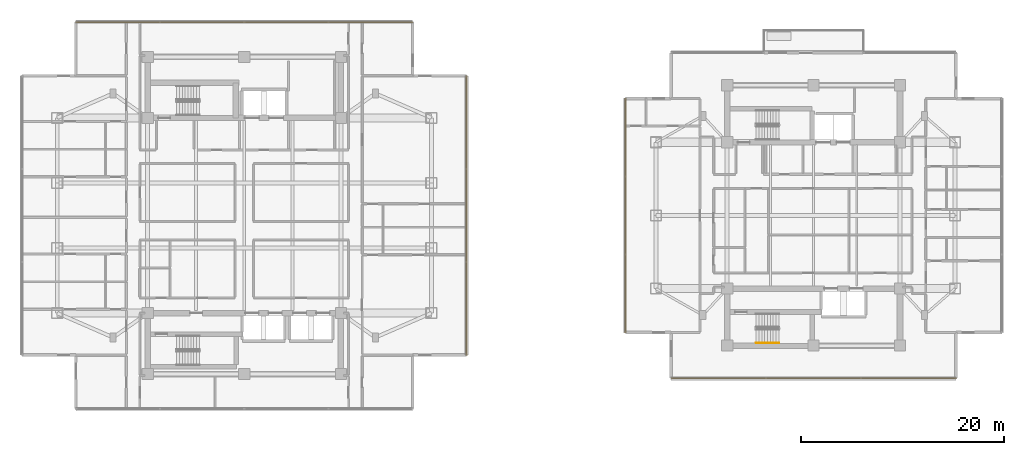
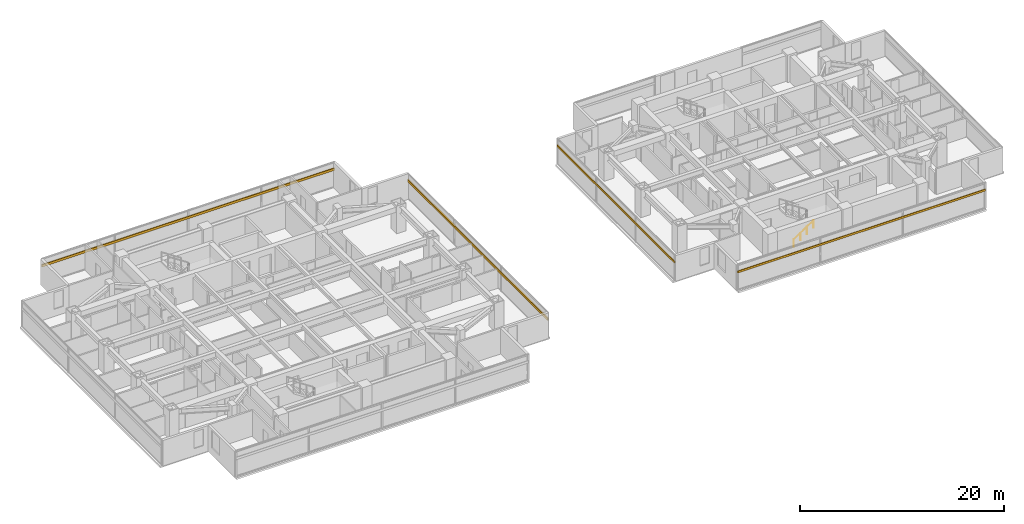
# One storey, part 22 of 24: 4 shading devices, 1 railing.
"""IFC4 building model written with IfcOpenShell, lengths in metres."""

import ifcopenshell
import ifcopenshell.guid

model = None  # the IFC model being written
_history = None  # IfcOwnerHistory: only IFC2X3 demands one
_inside = {}  # id of a spatial element -> (the spatial element, [elements in it])
_under = {}  # id of a project, library or spatial element -> (it, [spatial elements below it])
_declared = {}  # id of a project -> (the project, [libraries it declares])
_typed = {}  # id of a type object -> (the type object, [elements of that type])
_made_of = {}  # id of a material, layer set ... -> (it, [elements and type objects made of it])


def new_model(schema):
    """Start an empty IFC model of exactly this schema.

    Asked for "IFC4X3", IfcOpenShell would pick the latest addendum, in which some entities
    have other attributes; the version numbers below select the first issue.
    IFC2X3 requires an IfcOwnerHistory on every rooted entity: one is made here for all.
    """
    global model, _history
    if schema == "IFC4X3":
        model = ifcopenshell.file(schema_version=(4, 3, 0, 0))
    else:
        model = ifcopenshell.file(schema=schema)
    _inside.clear()
    _under.clear()
    _declared.clear()
    _typed.clear()
    _made_of.clear()
    _history = None
    if model.schema == "IFC2X3":
        org = make("IfcOrganization", Name="unknown")
        user = make(
            "IfcPersonAndOrganization",
            ThePerson=make("IfcPerson", FamilyName="unknown"),
            TheOrganization=org,
        )
        app = make(
            "IfcApplication",
            ApplicationDeveloper=org,
            Version="unknown",
            ApplicationFullName="unknown",
            ApplicationIdentifier="unknown",
        )
        _history = make(
            "IfcOwnerHistory",
            OwningUser=user,
            OwningApplication=app,
            ChangeAction="ADDED",
            CreationDate=0,
        )
    return model


def make(cls, **values):
    """One entity of the class cls with the attributes given. An attribute that is None is left unset."""
    return model.create_entity(
        cls, **{name: value for name, value in values.items() if value is not None}
    )


def rooted(cls, **values):
    """An entity with a GlobalId (a new one), such as an element, a storey or a relation."""
    return make(cls, GlobalId=ifcopenshell.guid.new(), OwnerHistory=_history, **values)


def si_unit(unit_type, name, prefix=None):
    """IfcSIUnit, for example si_unit("LENGTHUNIT", "METRE", prefix="MILLI")."""
    return make("IfcSIUnit", UnitType=unit_type, Prefix=prefix, Name=name)


def assignment(units):
    """IfcUnitAssignment: the units of a project."""
    return None if units is None else make("IfcUnitAssignment", Units=units)


def point(xyz):
    """IfcCartesianPoint."""
    return None if xyz is None else make("IfcCartesianPoint", Coordinates=xyz)


def direction(xyz):
    """IfcDirection."""
    return None if xyz is None else make("IfcDirection", DirectionRatios=xyz)


def frame(location, z_axis=None, x_axis=None):
    """IfcAxis2Placement3D, a coordinate frame: its origin and axes. An axis left out is left unset."""
    return make(
        "IfcAxis2Placement3D",
        Location=point(location),
        Axis=direction(z_axis),
        RefDirection=direction(x_axis),
    )


def frame_2d(location, x_axis=None):
    """IfcAxis2Placement2D, a coordinate frame in the plane: its origin and x axis."""
    return make(
        "IfcAxis2Placement2D", Location=point(location), RefDirection=direction(x_axis)
    )


def origin():
    """The frame at (0, 0, 0) with its axes left unset."""
    return frame((0.0, 0.0, 0.0))


def origin_2d():
    """The frame at (0, 0) in the plane with its x axis left unset."""
    return frame_2d((0.0, 0.0))


def place(relative_to, where):
    """IfcLocalPlacement: puts the frame where relative to a parent placement (None: the world)."""
    return make(
        "IfcLocalPlacement", PlacementRelTo=relative_to, RelativePlacement=where
    )


def context(
    kind, dimensions, precision=None, world=None, true_north=None, identifier=None
):
    """IfcGeometricRepresentationContext, for example the 3D "Model" context."""
    return make(
        "IfcGeometricRepresentationContext",
        ContextIdentifier=identifier,
        ContextType=kind,
        CoordinateSpaceDimension=dimensions,
        Precision=precision,
        WorldCoordinateSystem=world,
        TrueNorth=true_north,
    )


def subcontext(parent, identifier, kind, view, scale=None):
    """IfcGeometricRepresentationSubContext, for example "Body" below "Model"."""
    return make(
        "IfcGeometricRepresentationSubContext",
        ContextIdentifier=identifier,
        ContextType=kind,
        ParentContext=parent,
        TargetScale=scale,
        TargetView=view,
    )


def project(units=None, contexts=None):
    """IfcProject with its units and contexts."""
    return rooted(
        "IfcProject",
        Name="project",
        RepresentationContexts=contexts,
        UnitsInContext=assignment(units),
    )


def spatial(cls, under=None, at=None, **own):
    """A site, building, storey or space (cls), placed at a placement, below another one or the project."""
    s = rooted(cls, ObjectPlacement=at, **own)
    if under is not None:
        _under.setdefault(under.id(), (under, []))[1].append(s)
    return s


def profile(cls, at=None, kind="AREA", **sizes):
    """A parametric profile (cls). Its sizes go by their IFC names, for example OverallWidth=200.0."""
    return make(cls, ProfileType=kind, Position=at, **sizes)


def rectangle(**sizes):
    """IfcRectangleProfileDef."""
    return profile("IfcRectangleProfileDef", **sizes)


def circle(**sizes):
    """IfcCircleProfileDef."""
    return profile("IfcCircleProfileDef", **sizes)


def extrude(swept, where, along, depth):
    """IfcExtrudedAreaSolid: the profile swept, set in the frame where, extruded along a direction by depth."""
    return make(
        "IfcExtrudedAreaSolid",
        SweptArea=swept,
        Position=where,
        ExtrudedDirection=direction(along),
        Depth=depth,
    )


def shape(context_of_items, identifier, shape_type, items):
    """IfcShapeRepresentation: the items that make up one representation, for example the "Body"."""
    return make(
        "IfcShapeRepresentation",
        ContextOfItems=context_of_items,
        RepresentationIdentifier=identifier,
        RepresentationType=shape_type,
        Items=items,
    )


def material(Name=None, Category=None):
    """IfcMaterial."""
    return make("IfcMaterial", Name=Name, Category=Category)


def material_profile(
    of_material, cross_section, Name=None, Category=None, Priority=None
):
    """IfcMaterialProfile: a cross section and its material."""
    return make(
        "IfcMaterialProfile",
        Name=Name,
        Material=of_material,
        Profile=cross_section,
        Priority=Priority,
        Category=Category,
    )


def profile_set(profiles, Name=None, composite=None):
    """IfcMaterialProfileSet."""
    return make(
        "IfcMaterialProfileSet",
        Name=Name,
        MaterialProfiles=profiles,
        CompositeProfile=composite,
    )


def made_of(thing, what):
    """Note that an element or type object is made of a material, layer set ...; save() writes the relation."""
    if what is not None:
        _made_of.setdefault(what.id(), (what, []))[1].append(thing)
    return thing


def type_object(cls, material=None, **own):
    """A type object (cls), such as IfcWallType, which elements share."""
    return made_of(rooted(cls, **own), material)


def element(
    cls,
    number,
    at=None,
    inside=None,
    cuts=None,
    type_object=None,
    material=None,
    context=None,
    identifier="Body",
    shape_type=None,
    held_by="IfcProductDefinitionShape",
    body=None,
    shapes=None,
    **own,
):
    """One element of the class cls, such as IfcWall. Its Tag is "e" and its number.

    at: its placement. inside: the storey or other place that contains it. cuts: it is an
    opening in that element (IfcRelVoidsElement). A single representation is given by context,
    identifier, shape_type and body (its items); several are given by shapes. held_by: the class
    of the entity that holds the representations. save() writes the other relations.
    """
    e = rooted(cls, Tag="e%d" % number, ObjectPlacement=at, **own)
    if body is not None:
        shapes = [shape(context, identifier, shape_type, body)]
    if shapes is not None:
        e.Representation = make(held_by, Representations=shapes)
    if inside is not None:
        _inside.setdefault(inside.id(), (inside, []))[1].append(e)
    if cuts is not None:
        rooted(
            "IfcRelVoidsElement", RelatingBuildingElement=cuts, RelatedOpeningElement=e
        )
    if type_object is not None:
        _typed.setdefault(type_object.id(), (type_object, []))[1].append(e)
    return made_of(e, material)


def aggregate(whole, parts):
    """IfcRelAggregates: a whole, such as a stair, and the parts it consists of."""
    return rooted("IfcRelAggregates", RelatingObject=whole, RelatedObjects=parts)


def save(model, path):
    """Write the relations noted so far, then the file.

    IfcRelAggregates (storeys below a building ...), IfcRelContainedInSpatialStructure (elements
    in a storey), IfcRelDefinesByType, IfcRelAssociatesMaterial and IfcRelDeclares: one each for
    every whole, place, type object, material and project.
    """
    for whole, parts in _under.values():
        aggregate(whole, parts)
    for where, things in _inside.values():
        rooted(
            "IfcRelContainedInSpatialStructure",
            RelatedElements=things,
            RelatingStructure=where,
        )
    for kind, things in _typed.values():
        rooted("IfcRelDefinesByType", RelatedObjects=things, RelatingType=kind)
    for what, things in _made_of.values():
        rooted("IfcRelAssociatesMaterial", RelatedObjects=things, RelatingMaterial=what)
    for by, libraries in _declared.values():
        rooted("IfcRelDeclares", RelatingContext=by, RelatedDefinitions=libraries)
    model.write(path)


model = new_model("IFC4")

# Units and contexts
model_context = context("Model", 3, precision=1e-05, world=origin(), true_north=direction((0.0, 1.0)))
body_context = subcontext(model_context, "Body", "Model", "MODEL_VIEW")
ifc_project = project(units=[si_unit("LENGTHUNIT", "METRE"), si_unit("AREAUNIT", "SQUARE_METRE"), si_unit("VOLUMEUNIT", "CUBIC_METRE"), si_unit("PLANEANGLEUNIT", "RADIAN"), si_unit("MASSUNIT", "GRAM", prefix="KILO")], contexts=[model_context])

# Site, building, storey
site_placement = place(None, origin())
site = spatial("IfcSite", under=ifc_project, at=site_placement, CompositionType="ELEMENT")
building_placement = place(site_placement, origin())
building = spatial("IfcBuilding", under=site, at=building_placement, Name="Mirazonda Arch Towers", CompositionType="ELEMENT")
storey_placement = place(building_placement, frame((0.0, 0.0, 141.199951171875)))
storey = spatial("IfcBuildingStorey", under=building, at=storey_placement, Name="L40", CompositionType="ELEMENT", Elevation=141.199951171875)

# Shading devices
ifc_material_1 = material(Name="Kiln-Fired Architectural Terracotta", Category="masonry")
ifc_material_profile_1 = material_profile(ifc_material_1, rectangle(XDim=0.1201171875, YDim=0.239990234375, at=origin_2d()), Name="TERRA-BAG-120x240")
ifc_profile_set_1 = profile_set([ifc_material_profile_1], Name="Kiln-Fired Architectural Terracotta")
shading_device_type_1 = type_object("IfcShadingDeviceType", Name="BAGUETTE-1", PredefinedType="USERDEFINED", material=ifc_profile_set_1)
shading_device_1_placement = place(storey_placement, frame((90.5244140625, 11.997802734375, 2.203369140625), z_axis=(-1.0, 0.0, 0.0), x_axis=(0.0, -1.0, 0.0)))
element("IfcShadingDevice", 1, at=shading_device_1_placement, inside=storey, type_object=shading_device_type_1, Name="L40 Glazed Terracotta Sun-Screen Baguette CW-L40-T2-S", ObjectType="BAGUETTE", PredefinedType="USERDEFINED", context=body_context, shape_type="SweptSolid", body=[
    extrude(rectangle(XDim=0.1201171875, YDim=0.239990234375, at=origin_2d()), origin(), (0.0, 0.0, 1.0), 28.048828125),
])
shading_device_2_placement = place(storey_placement, frame((57.989013671875, 39.515625, 2.203369140625), z_axis=(0.0, -1.0, 0.0), x_axis=(1.0, 0.0, 0.0)))
element("IfcShadingDevice", 2, at=shading_device_2_placement, inside=storey, type_object=shading_device_type_1, Name="L40 Glazed Terracotta Sun-Screen Baguette CW-L40-T2-W", ObjectType="BAGUETTE", PredefinedType="USERDEFINED", context=body_context, shape_type="SweptSolid", body=[
    extrude(rectangle(XDim=0.1201171875, YDim=0.239990234375, at=origin_2d()), origin(), (0.0, 0.0, 1.0), 23.03125),
])
ifc_material_profile_2 = material_profile(ifc_material_1, rectangle(XDim=0.139892578125, YDim=0.280029296875, at=origin_2d()), Name="TERRA-BAG-140x280")
ifc_profile_set_2 = profile_set([ifc_material_profile_2], Name="Kiln-Fired Architectural Terracotta")
shading_device_type_2 = type_object("IfcShadingDeviceType", Name="BAGUETTE-3", PredefinedType="USERDEFINED", material=ifc_profile_set_2)
shading_device_3_placement = place(storey_placement, frame((42.340087890625, 14.263916015625, 2.203369140625), z_axis=(0.0, 1.0, 0.0), x_axis=(-1.0, 0.0, 0.0)))
element("IfcShadingDevice", 3, at=shading_device_3_placement, inside=storey, type_object=shading_device_type_2, Name="L40 Glazed Terracotta Sun-Screen Baguette CW-L40-T1-E", ObjectType="BAGUETTE", PredefinedType="USERDEFINED", context=body_context, shape_type="SweptSolid", body=[
    extrude(rectangle(XDim=0.139892578125, YDim=0.280029296875, at=origin_2d()), origin(), (0.0, 0.0, 1.0), 27.47216796875),
])
shading_device_4_placement = place(storey_placement, frame((3.929931640625, 47.006103515625, 2.203369140625), z_axis=(1.0, 0.0, 0.0), x_axis=(0.0, 1.0, 0.0)))
element("IfcShadingDevice", 4, at=shading_device_4_placement, inside=storey, type_object=shading_device_type_2, Name="L40 Glazed Terracotta Sun-Screen Baguette CW-L40-T1-N", ObjectType="BAGUETTE", PredefinedType="USERDEFINED", context=body_context, shape_type="SweptSolid", body=[
    extrude(rectangle(XDim=0.139892578125, YDim=0.280029296875, at=origin_2d()), origin(), (0.0, 0.0, 1.0), 33.14013671875),
])

# Railing
ifc_material_2 = material(Name="Architectural Brushed Steel S355", Category="steel")
railing_type = type_object("IfcRailingType", Name="HANDRAIL-915", PredefinedType="HANDRAIL", material=ifc_material_2)
railing_placement = place(storey_placement, frame((70.85009765625, 15.469970703125, 0.183349609375)))
element("IfcRailing", 5, at=railing_placement, inside=storey, type_object=railing_type, Name="L40 ST-T2S stair handrail 1", PredefinedType="HANDRAIL", context=body_context, shape_type="SweptSolid", body=[
    extrude(circle(Radius=0.02392578125, at=origin_2d()), frame((0.0, 0.0, 0.8759765625), z_axis=(0.836595146698, 0.0, 0.547821650285), x_axis=(0.0, 1.0, 0.0)), (0.0, 0.0, 1.0), 2.677490234375),
    extrude(circle(Radius=0.02099609375, at=origin_2d()), origin(), (0.0, 0.0, 1.0), 0.851806640625),
    extrude(circle(Radius=0.02099609375, at=origin_2d()), frame((0.74658203125, 0.0, 0.489013671875)), (0.0, 0.0, 1.0), 0.851806640625),
    extrude(circle(Radius=0.02099609375, at=origin_2d()), frame((1.493408203125, 0.0, 0.977783203125)), (0.0, 0.0, 1.0), 0.851806640625),
    extrude(circle(Radius=0.02099609375, at=origin_2d()), frame((2.239990234375, 0.0, 1.466796875)), (0.0, 0.0, 1.0), 0.851806640625),
])

save(model, "model.ifc")
